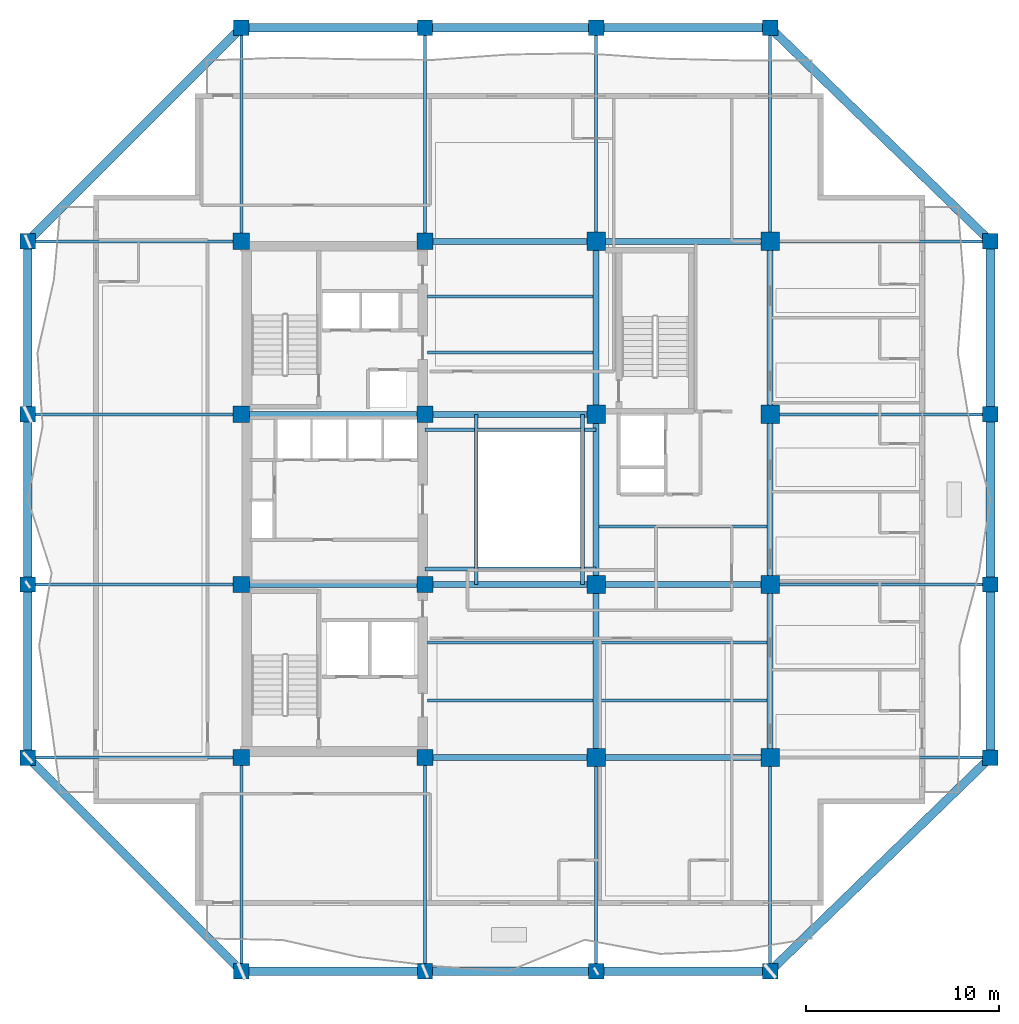
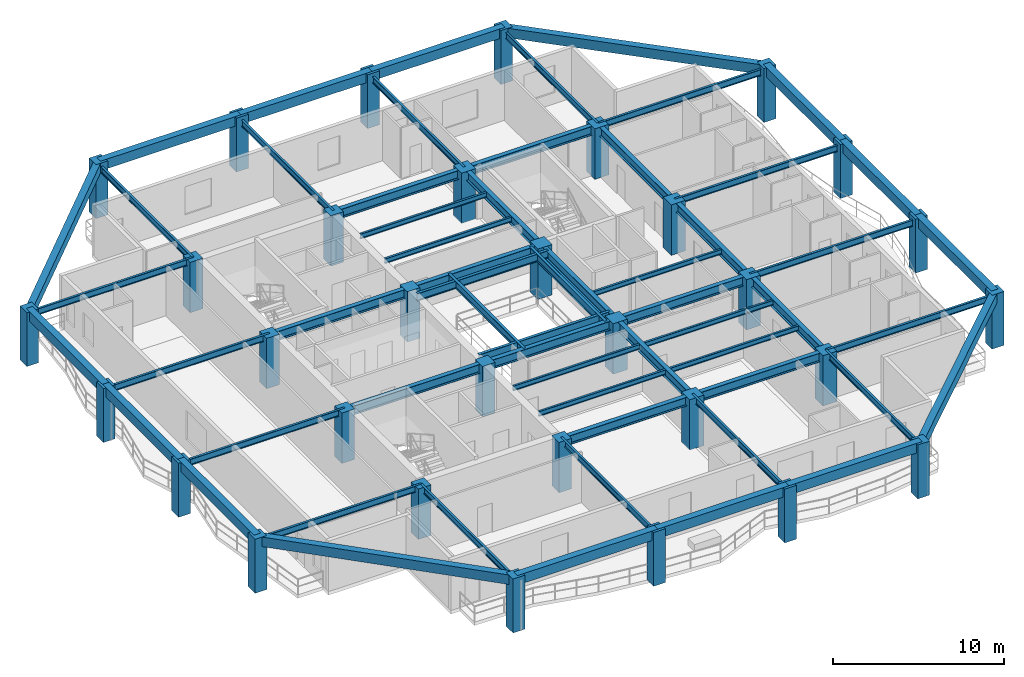
# One storey, part 1 of 13: 58 beams, 32 columns.
"""IFC4 building model written with IfcOpenShell, lengths in metres."""

import ifcopenshell
import ifcopenshell.guid

model = None  # the IFC model being written
_history = None  # IfcOwnerHistory: only IFC2X3 demands one
_inside = {}  # id of a spatial element -> (the spatial element, [elements in it])
_under = {}  # id of a project, library or spatial element -> (it, [spatial elements below it])
_declared = {}  # id of a project -> (the project, [libraries it declares])
_typed = {}  # id of a type object -> (the type object, [elements of that type])
_made_of = {}  # id of a material, layer set ... -> (it, [elements and type objects made of it])


def new_model(schema):
    """Start an empty IFC model of exactly this schema.

    Asked for "IFC4X3", IfcOpenShell would pick the latest addendum, in which some entities
    have other attributes; the version numbers below select the first issue.
    IFC2X3 requires an IfcOwnerHistory on every rooted entity: one is made here for all.
    """
    global model, _history
    if schema == "IFC4X3":
        model = ifcopenshell.file(schema_version=(4, 3, 0, 0))
    else:
        model = ifcopenshell.file(schema=schema)
    _inside.clear()
    _under.clear()
    _declared.clear()
    _typed.clear()
    _made_of.clear()
    _history = None
    if model.schema == "IFC2X3":
        org = make("IfcOrganization", Name="unknown")
        user = make(
            "IfcPersonAndOrganization",
            ThePerson=make("IfcPerson", FamilyName="unknown"),
            TheOrganization=org,
        )
        app = make(
            "IfcApplication",
            ApplicationDeveloper=org,
            Version="unknown",
            ApplicationFullName="unknown",
            ApplicationIdentifier="unknown",
        )
        _history = make(
            "IfcOwnerHistory",
            OwningUser=user,
            OwningApplication=app,
            ChangeAction="ADDED",
            CreationDate=0,
        )
    return model


def make(cls, **values):
    """One entity of the class cls with the attributes given. An attribute that is None is left unset."""
    return model.create_entity(
        cls, **{name: value for name, value in values.items() if value is not None}
    )


def rooted(cls, **values):
    """An entity with a GlobalId (a new one), such as an element, a storey or a relation."""
    return make(cls, GlobalId=ifcopenshell.guid.new(), OwnerHistory=_history, **values)


def si_unit(unit_type, name, prefix=None):
    """IfcSIUnit, for example si_unit("LENGTHUNIT", "METRE", prefix="MILLI")."""
    return make("IfcSIUnit", UnitType=unit_type, Prefix=prefix, Name=name)


def assignment(units):
    """IfcUnitAssignment: the units of a project."""
    return None if units is None else make("IfcUnitAssignment", Units=units)


def point(xyz):
    """IfcCartesianPoint."""
    return None if xyz is None else make("IfcCartesianPoint", Coordinates=xyz)


def direction(xyz):
    """IfcDirection."""
    return None if xyz is None else make("IfcDirection", DirectionRatios=xyz)


def frame(location, z_axis=None, x_axis=None):
    """IfcAxis2Placement3D, a coordinate frame: its origin and axes. An axis left out is left unset."""
    return make(
        "IfcAxis2Placement3D",
        Location=point(location),
        Axis=direction(z_axis),
        RefDirection=direction(x_axis),
    )


def frame_2d(location, x_axis=None):
    """IfcAxis2Placement2D, a coordinate frame in the plane: its origin and x axis."""
    return make(
        "IfcAxis2Placement2D", Location=point(location), RefDirection=direction(x_axis)
    )


def origin():
    """The frame at (0, 0, 0) with its axes left unset."""
    return frame((0.0, 0.0, 0.0))


def origin_2d():
    """The frame at (0, 0) in the plane with its x axis left unset."""
    return frame_2d((0.0, 0.0))


def place(relative_to, where):
    """IfcLocalPlacement: puts the frame where relative to a parent placement (None: the world)."""
    return make(
        "IfcLocalPlacement", PlacementRelTo=relative_to, RelativePlacement=where
    )


def context(
    kind, dimensions, precision=None, world=None, true_north=None, identifier=None
):
    """IfcGeometricRepresentationContext, for example the 3D "Model" context."""
    return make(
        "IfcGeometricRepresentationContext",
        ContextIdentifier=identifier,
        ContextType=kind,
        CoordinateSpaceDimension=dimensions,
        Precision=precision,
        WorldCoordinateSystem=world,
        TrueNorth=true_north,
    )


def subcontext(parent, identifier, kind, view, scale=None):
    """IfcGeometricRepresentationSubContext, for example "Body" below "Model"."""
    return make(
        "IfcGeometricRepresentationSubContext",
        ContextIdentifier=identifier,
        ContextType=kind,
        ParentContext=parent,
        TargetScale=scale,
        TargetView=view,
    )


def project(units=None, contexts=None):
    """IfcProject with its units and contexts."""
    return rooted(
        "IfcProject",
        Name="project",
        RepresentationContexts=contexts,
        UnitsInContext=assignment(units),
    )


def spatial(cls, under=None, at=None, **own):
    """A site, building, storey or space (cls), placed at a placement, below another one or the project."""
    s = rooted(cls, ObjectPlacement=at, **own)
    if under is not None:
        _under.setdefault(under.id(), (under, []))[1].append(s)
    return s


def profile(cls, at=None, kind="AREA", **sizes):
    """A parametric profile (cls). Its sizes go by their IFC names, for example OverallWidth=200.0."""
    return make(cls, ProfileType=kind, Position=at, **sizes)


def rectangle(**sizes):
    """IfcRectangleProfileDef."""
    return profile("IfcRectangleProfileDef", **sizes)


def i_section(**sizes):
    """IfcIShapeProfileDef."""
    return profile("IfcIShapeProfileDef", **sizes)


def extrude(swept, where, along, depth):
    """IfcExtrudedAreaSolid: the profile swept, set in the frame where, extruded along a direction by depth."""
    return make(
        "IfcExtrudedAreaSolid",
        SweptArea=swept,
        Position=where,
        ExtrudedDirection=direction(along),
        Depth=depth,
    )


def shape(context_of_items, identifier, shape_type, items):
    """IfcShapeRepresentation: the items that make up one representation, for example the "Body"."""
    return make(
        "IfcShapeRepresentation",
        ContextOfItems=context_of_items,
        RepresentationIdentifier=identifier,
        RepresentationType=shape_type,
        Items=items,
    )


def material(Name=None, Category=None):
    """IfcMaterial."""
    return make("IfcMaterial", Name=Name, Category=Category)


def material_profile(
    of_material, cross_section, Name=None, Category=None, Priority=None
):
    """IfcMaterialProfile: a cross section and its material."""
    return make(
        "IfcMaterialProfile",
        Name=Name,
        Material=of_material,
        Profile=cross_section,
        Priority=Priority,
        Category=Category,
    )


def profile_set(profiles, Name=None, composite=None):
    """IfcMaterialProfileSet."""
    return make(
        "IfcMaterialProfileSet",
        Name=Name,
        MaterialProfiles=profiles,
        CompositeProfile=composite,
    )


def made_of(thing, what):
    """Note that an element or type object is made of a material, layer set ...; save() writes the relation."""
    if what is not None:
        _made_of.setdefault(what.id(), (what, []))[1].append(thing)
    return thing


def type_object(cls, material=None, **own):
    """A type object (cls), such as IfcWallType, which elements share."""
    return made_of(rooted(cls, **own), material)


def element(
    cls,
    number,
    at=None,
    inside=None,
    cuts=None,
    type_object=None,
    material=None,
    context=None,
    identifier="Body",
    shape_type=None,
    held_by="IfcProductDefinitionShape",
    body=None,
    shapes=None,
    **own,
):
    """One element of the class cls, such as IfcWall. Its Tag is "e" and its number.

    at: its placement. inside: the storey or other place that contains it. cuts: it is an
    opening in that element (IfcRelVoidsElement). A single representation is given by context,
    identifier, shape_type and body (its items); several are given by shapes. held_by: the class
    of the entity that holds the representations. save() writes the other relations.
    """
    e = rooted(cls, Tag="e%d" % number, ObjectPlacement=at, **own)
    if body is not None:
        shapes = [shape(context, identifier, shape_type, body)]
    if shapes is not None:
        e.Representation = make(held_by, Representations=shapes)
    if inside is not None:
        _inside.setdefault(inside.id(), (inside, []))[1].append(e)
    if cuts is not None:
        rooted(
            "IfcRelVoidsElement", RelatingBuildingElement=cuts, RelatedOpeningElement=e
        )
    if type_object is not None:
        _typed.setdefault(type_object.id(), (type_object, []))[1].append(e)
    return made_of(e, material)


def aggregate(whole, parts):
    """IfcRelAggregates: a whole, such as a stair, and the parts it consists of."""
    return rooted("IfcRelAggregates", RelatingObject=whole, RelatedObjects=parts)


def save(model, path):
    """Write the relations noted so far, then the file.

    IfcRelAggregates (storeys below a building ...), IfcRelContainedInSpatialStructure (elements
    in a storey), IfcRelDefinesByType, IfcRelAssociatesMaterial and IfcRelDeclares: one each for
    every whole, place, type object, material and project.
    """
    for whole, parts in _under.values():
        aggregate(whole, parts)
    for where, things in _inside.values():
        rooted(
            "IfcRelContainedInSpatialStructure",
            RelatedElements=things,
            RelatingStructure=where,
        )
    for kind, things in _typed.values():
        rooted("IfcRelDefinesByType", RelatedObjects=things, RelatingType=kind)
    for what, things in _made_of.values():
        rooted("IfcRelAssociatesMaterial", RelatedObjects=things, RelatingMaterial=what)
    for by, libraries in _declared.values():
        rooted("IfcRelDeclares", RelatingContext=by, RelatedDefinitions=libraries)
    model.write(path)


model = new_model("IFC4")

# Units and contexts
model_context = context("Model", 3, precision=1e-05, world=origin(), true_north=direction((0.0, 1.0)))
body_context = subcontext(model_context, "Body", "Model", "MODEL_VIEW")
ifc_project = project(units=[si_unit("LENGTHUNIT", "METRE"), si_unit("AREAUNIT", "SQUARE_METRE"), si_unit("VOLUMEUNIT", "CUBIC_METRE"), si_unit("PLANEANGLEUNIT", "RADIAN"), si_unit("MASSUNIT", "GRAM", prefix="KILO")], contexts=[model_context])

# Site, building, storey
site_placement = place(None, origin())
site = spatial("IfcSite", under=ifc_project, at=site_placement, CompositionType="ELEMENT")
building_placement = place(site_placement, origin())
building = spatial("IfcBuilding", under=site, at=building_placement, Name="Kundavana Baori Tower", CompositionType="ELEMENT")
storey_placement = place(building_placement, frame((0.0, 0.0, 184.85009765625)))
storey = spatial("IfcBuildingStorey", under=building, at=storey_placement, Name="L45", CompositionType="ELEMENT", Elevation=184.85009765625)

# Columns
ifc_material_1 = material(Name="Concrete C50/60", Category="concrete")
ifc_material_profile_1 = material_profile(ifc_material_1, rectangle(XDim=0.800048828125, YDim=0.800048828125, at=origin_2d()), Name="RC PF 800x800")
ifc_profile_set_1 = profile_set([ifc_material_profile_1], Name="Concrete C50/60")
column_type_1 = type_object("IfcColumnType", Name="COL-PF-800", PredefinedType="COLUMN", material=ifc_profile_set_1)
for number, where, z_axis, x_axis, name in (
    (1, (15.449951171875, 4.199951171875, 0.0), (0.0, 0.0, 1.0), (1.0, 0.0, 0.0), "L45 Stone-Clad Perimeter Frame Column PF-S1"),
    (2, (15.449951171875, 53.0, 0.0), (0.0, 0.0, 1.0), (1.0, 0.0, 0.0), "L45 Stone-Clad Perimeter Frame Column PF-N1"),
    (3, (24.949951171875, 4.199951171875, 0.0), (0.0, 0.0, 1.0), (1.0, 0.0, 0.0), "L45 Stone-Clad Perimeter Frame Column PF-S2"),
    (4, (24.949951171875, 53.0, 0.0), (0.0, 0.0, 1.0), (1.0, 0.0, 0.0), "L45 Stone-Clad Perimeter Frame Column PF-N2"),
    (5, (33.800048828125, 4.199951171875, 0.0), (0.0, 0.0, 1.0), (1.0, 0.0, 0.0), "L45 Stone-Clad Perimeter Frame Column PF-S3"),
    (6, (33.800048828125, 53.0, 0.0), (0.0, 0.0, 1.0), (1.0, 0.0, 0.0), "L45 Stone-Clad Perimeter Frame Column PF-N3"),
    (7, (42.800048828125, 4.199951171875, 0.0), (0.0, 0.0, 1.0), (1.0, 0.0, 0.0), "L45 Stone-Clad Perimeter Frame Column PF-S4"),
    (8, (42.800048828125, 53.0, 0.0), (0.0, 0.0, 1.0), (1.0, 0.0, 0.0), "L45 Stone-Clad Perimeter Frame Column PF-N4"),
    (9, (4.39990234375, 15.25, 0.0), (0.0, 0.0, 1.0), (1.0, 0.0, 0.0), "L45 Stone-Clad Perimeter Frame Column PF-W1"),
    (10, (54.199951171875, 15.25, 0.0), (0.0, 0.0, 1.0), (1.0, 0.0, 0.0), "L45 Stone-Clad Perimeter Frame Column PF-E1"),
    (11, (4.39990234375, 24.199951171875, 0.0), (0.0, 0.0, 1.0), (1.0, 0.0, 0.0), "L45 Stone-Clad Perimeter Frame Column PF-W2"),
    (12, (54.199951171875, 24.199951171875, 0.0), (0.0, 0.0, 1.0), (1.0, 0.0, 0.0), "L45 Stone-Clad Perimeter Frame Column PF-E2"),
    (13, (4.39990234375, 33.0, 0.0), (0.0, 0.0, 1.0), (1.0, 0.0, 0.0), "L45 Stone-Clad Perimeter Frame Column PF-W3"),
    (14, (54.199951171875, 33.0, 0.0), (0.0, 0.0, 1.0), (1.0, 0.0, 0.0), "L45 Stone-Clad Perimeter Frame Column PF-E3"),
    (15, (4.39990234375, 41.949951171875, 0.0), (0.0, 0.0, 1.0), (1.0, 0.0, 0.0), "L45 Stone-Clad Perimeter Frame Column PF-W4"),
    (16, (54.199951171875, 41.949951171875, 0.0), (0.0, 0.0, 1.0), (1.0, 0.0, 0.0), "L45 Stone-Clad Perimeter Frame Column PF-E4"),
):
    element("IfcColumn", number, at=place(storey_placement, frame(where, z_axis=z_axis, x_axis=x_axis)), inside=storey, type_object=column_type_1, Name=name, PredefinedType="COLUMN", context=body_context, shape_type="SweptSolid", body=[
        extrude(rectangle(XDim=0.800048828125, YDim=0.800048828125, at=origin_2d()), origin(), (0.0, 0.0, 1.0), 3.849853515625),
    ])
ifc_material_2 = material(Name="Concrete C50/60", Category="concrete")
ifc_material_profile_2 = material_profile(ifc_material_2, rectangle(XDim=0.85009765625, YDim=0.85009765625, at=origin_2d()), Name="RC 850x850")
ifc_profile_set_2 = profile_set([ifc_material_profile_2], Name="Concrete C50/60")
column_type_2 = type_object("IfcColumnType", Name="COL-RC-850", PredefinedType="COLUMN", material=ifc_profile_set_2)
for number, where, z_axis, x_axis, name in (
    (17, (15.449951171875, 15.25, 0.0), (0.0, 0.0, 1.0), (1.0, 0.0, 0.0), "L45 Interior Column IC-3C"),
    (18, (15.449951171875, 24.199951171875, 0.0), (0.0, 0.0, 1.0), (1.0, 0.0, 0.0), "L45 Interior Column IC-3D"),
    (19, (15.449951171875, 33.0, 0.0), (0.0, 0.0, 1.0), (1.0, 0.0, 0.0), "L45 Interior Column IC-3E"),
    (20, (15.449951171875, 41.949951171875, 0.0), (0.0, 0.0, 1.0), (1.0, 0.0, 0.0), "L45 Interior Column IC-3F"),
    (21, (24.949951171875, 15.25, 0.0), (0.0, 0.0, 1.0), (1.0, 0.0, 0.0), "L45 Interior Column IC-4C"),
    (22, (24.949951171875, 24.199951171875, 0.0), (0.0, 0.0, 1.0), (1.0, 0.0, 0.0), "L45 Interior Column IC-4D"),
    (23, (24.949951171875, 33.0, 0.0), (0.0, 0.0, 1.0), (1.0, 0.0, 0.0), "L45 Interior Column IC-4E"),
    (24, (24.949951171875, 41.949951171875, 0.0), (0.0, 0.0, 1.0), (1.0, 0.0, 0.0), "L45 Interior Column IC-4F"),
):
    element("IfcColumn", number, at=place(storey_placement, frame(where, z_axis=z_axis, x_axis=x_axis)), inside=storey, type_object=column_type_2, Name=name, PredefinedType="COLUMN", context=body_context, shape_type="SweptSolid", body=[
        extrude(rectangle(XDim=0.85009765625, YDim=0.85009765625, at=origin_2d()), origin(), (0.0, 0.0, 1.0), 3.599853515625),
    ])
ifc_material_3 = material(Name="Concrete C50/60", Category="concrete")
ifc_material_profile_3 = material_profile(ifc_material_3, rectangle(XDim=0.949951171875, YDim=0.949951171875, at=origin_2d()), Name="RC 950x950")
ifc_profile_set_3 = profile_set([ifc_material_profile_3], Name="Concrete C50/60")
column_type_3 = type_object("IfcColumnType", Name="COL-RC-950", PredefinedType="COLUMN", material=ifc_profile_set_3)
for number, where, z_axis, x_axis, name in (
    (25, (33.800048828125, 15.25, 0.0), (0.0, 0.0, 1.0), (1.0, 0.0, 0.0), "L45 Interior Column IC-5C"),
    (26, (33.800048828125, 24.199951171875, 0.0), (0.0, 0.0, 1.0), (1.0, 0.0, 0.0), "L45 Interior Column IC-5D"),
    (27, (33.800048828125, 33.0, 0.0), (0.0, 0.0, 1.0), (1.0, 0.0, 0.0), "L45 Interior Column IC-5E"),
    (28, (33.800048828125, 41.949951171875, 0.0), (0.0, 0.0, 1.0), (1.0, 0.0, 0.0), "L45 Interior Column IC-5F"),
    (29, (42.800048828125, 15.25, 0.0), (0.0, 0.0, 1.0), (1.0, 0.0, 0.0), "L45 Interior Column IC-6C"),
    (30, (42.800048828125, 24.199951171875, 0.0), (0.0, 0.0, 1.0), (1.0, 0.0, 0.0), "L45 Interior Column IC-6D"),
    (31, (42.800048828125, 33.0, 0.0), (0.0, 0.0, 1.0), (1.0, 0.0, 0.0), "L45 Interior Column IC-6E"),
    (32, (42.800048828125, 41.949951171875, 0.0), (0.0, 0.0, 1.0), (1.0, 0.0, 0.0), "L45 Interior Column IC-6F"),
):
    element("IfcColumn", number, at=place(storey_placement, frame(where, z_axis=z_axis, x_axis=x_axis)), inside=storey, type_object=column_type_3, Name=name, PredefinedType="COLUMN", context=body_context, shape_type="SweptSolid", body=[
        extrude(rectangle(XDim=0.949951171875, YDim=0.949951171875, at=origin_2d()), origin(), (0.0, 0.0, 1.0), 3.599853515625),
    ])

# Beams
ifc_material_4 = material(Name="Structural Steel S355JR", Category="steel")
ifc_material_profile_4 = material_profile(ifc_material_4, i_section(OverallWidth=0.139892578125, OverallDepth=0.35009765625, WebThickness=0.008056640625, FlangeThickness=0.01416015625, FilletRadius=0.013916015625, at=origin_2d()), Name="ISMB 350")
ifc_profile_set_4 = profile_set([ifc_material_profile_4], Name="Structural Steel S355JR")
beam_type_1 = type_object("IfcBeamType", Name="BM-JST-350", PredefinedType="JOIST", material=ifc_profile_set_4)
for number, where, z_axis, x_axis, name in (
    (33, (25.080078125, 18.199951171875, 3.4248046875), (1.0, 0.0, 0.0), (0.0, 1.0, 0.0), "L45 Central Bay Composite Floor Joist C1"),
    (34, (25.080078125, 21.199951171875, 3.4248046875), (1.0, 0.0, 0.0), (0.0, 1.0, 0.0), "L45 Central Bay Composite Floor Joist C2"),
    (35, (25.080078125, 36.199951171875, 3.4248046875), (1.0, 0.0, 0.0), (0.0, 1.0, 0.0), "L45 Central Bay Composite Floor Joist C3"),
    (36, (25.080078125, 39.10009765625, 3.4248046875), (1.0, 0.0, 0.0), (0.0, 1.0, 0.0), "L45 Central Bay Composite Floor Joist C4"),
):
    element("IfcBeam", number, at=place(storey_placement, frame(where, z_axis=z_axis, x_axis=x_axis)), inside=storey, type_object=beam_type_1, Name=name, PredefinedType="JOIST", context=body_context, shape_type="SweptSolid", body=[
        extrude(i_section(OverallWidth=0.139892578125, OverallDepth=0.35009765625, WebThickness=0.008056640625, FlangeThickness=0.01416015625, FilletRadius=0.013916015625, at=origin_2d()), origin(), (0.0, 0.0, 1.0), 8.56982421875),
    ])
for number, where, z_axis, x_axis, name in (
    (37, (33.949951171875, 18.199951171875, 3.4248046875), (1.0, 0.0, 0.0), (0.0, 1.0, 0.0), "L45 East Bay Composite Floor Joist E1"),
    (38, (33.949951171875, 21.199951171875, 3.4248046875), (1.0, 0.0, 0.0), (0.0, 1.0, 0.0), "L45 East Bay Composite Floor Joist E2"),
    (39, (33.949951171875, 27.199951171875, 3.4248046875), (1.0, 0.0, 0.0), (0.0, 1.0, 0.0), "L45 East Bay Composite Floor Joist E3"),
):
    element("IfcBeam", number, at=place(storey_placement, frame(where, z_axis=z_axis, x_axis=x_axis)), inside=storey, type_object=beam_type_1, Name=name, PredefinedType="JOIST", context=body_context, shape_type="SweptSolid", body=[
        extrude(i_section(OverallWidth=0.139892578125, OverallDepth=0.35009765625, WebThickness=0.008056640625, FlangeThickness=0.01416015625, FilletRadius=0.013916015625, at=origin_2d()), origin(), (0.0, 0.0, 1.0), 8.699951171875),
    ])
ifc_material_5 = material(Name="Concrete C50/60", Category="concrete")
ifc_material_profile_5 = material_profile(ifc_material_5, rectangle(XDim=0.449951171875, YDim=0.679931640625, at=origin_2d()), Name="RC BM 450x680")
ifc_profile_set_5 = profile_set([ifc_material_profile_5], Name="Concrete C50/60")
beam_type_2 = type_object("IfcBeamType", Name="BM-PF-680", PredefinedType="SPANDREL", material=ifc_profile_set_5)
beam_1_placement = place(storey_placement, frame((15.449951171875, 4.199951171875, 3.510009765625), z_axis=(1.0, 0.0, 0.0), x_axis=(0.0, 1.0, 0.0)))
element("IfcBeam", 40, at=beam_1_placement, inside=storey, type_object=beam_type_2, Name="L45 Perimeter Frame Ring Beam S1", PredefinedType="SPANDREL", context=body_context, shape_type="SweptSolid", body=[
    extrude(rectangle(XDim=0.449951171875, YDim=0.679931640625, at=origin_2d()), origin(), (0.0, 0.0, 1.0), 9.5),
])
beam_2_placement = place(storey_placement, frame((24.949951171875, 4.199951171875, 3.510009765625), z_axis=(1.0, 0.0, 0.0), x_axis=(0.0, 1.0, 0.0)))
element("IfcBeam", 41, at=beam_2_placement, inside=storey, type_object=beam_type_2, Name="L45 Perimeter Frame Ring Beam S2", PredefinedType="SPANDREL", context=body_context, shape_type="SweptSolid", body=[
    extrude(rectangle(XDim=0.449951171875, YDim=0.679931640625, at=origin_2d()), origin(), (0.0, 0.0, 1.0), 8.85009765625),
])
beam_3_placement = place(storey_placement, frame((33.800048828125, 4.199951171875, 3.510009765625), z_axis=(1.0, 0.0, 0.0), x_axis=(0.0, 1.0, 0.0)))
element("IfcBeam", 42, at=beam_3_placement, inside=storey, type_object=beam_type_2, Name="L45 Perimeter Frame Ring Beam S3", PredefinedType="SPANDREL", context=body_context, shape_type="SweptSolid", body=[
    extrude(rectangle(XDim=0.449951171875, YDim=0.679931640625, at=origin_2d()), origin(), (0.0, 0.0, 1.0), 9.0),
])
beam_4_placement = place(storey_placement, frame((15.449951171875, 53.0, 3.510009765625), z_axis=(1.0, 0.0, 0.0), x_axis=(0.0, 1.0, 0.0)))
element("IfcBeam", 43, at=beam_4_placement, inside=storey, type_object=beam_type_2, Name="L45 Perimeter Frame Ring Beam N1", PredefinedType="SPANDREL", context=body_context, shape_type="SweptSolid", body=[
    extrude(rectangle(XDim=0.449951171875, YDim=0.679931640625, at=origin_2d()), origin(), (0.0, 0.0, 1.0), 9.5),
])
beam_5_placement = place(storey_placement, frame((24.949951171875, 53.0, 3.510009765625), z_axis=(1.0, 0.0, 0.0), x_axis=(0.0, 1.0, 0.0)))
element("IfcBeam", 44, at=beam_5_placement, inside=storey, type_object=beam_type_2, Name="L45 Perimeter Frame Ring Beam N2", PredefinedType="SPANDREL", context=body_context, shape_type="SweptSolid", body=[
    extrude(rectangle(XDim=0.449951171875, YDim=0.679931640625, at=origin_2d()), origin(), (0.0, 0.0, 1.0), 8.85009765625),
])
beam_6_placement = place(storey_placement, frame((33.800048828125, 53.0, 3.510009765625), z_axis=(1.0, 0.0, 0.0), x_axis=(0.0, 1.0, 0.0)))
element("IfcBeam", 45, at=beam_6_placement, inside=storey, type_object=beam_type_2, Name="L45 Perimeter Frame Ring Beam N3", PredefinedType="SPANDREL", context=body_context, shape_type="SweptSolid", body=[
    extrude(rectangle(XDim=0.449951171875, YDim=0.679931640625, at=origin_2d()), origin(), (0.0, 0.0, 1.0), 9.0),
])
beam_7_placement = place(storey_placement, frame((4.39990234375, 15.25, 3.510009765625), z_axis=(0.0, 1.0, 0.0), x_axis=(-1.0, 0.0, 0.0)))
element("IfcBeam", 46, at=beam_7_placement, inside=storey, type_object=beam_type_2, Name="L45 Perimeter Frame Ring Beam W1", PredefinedType="SPANDREL", context=body_context, shape_type="SweptSolid", body=[
    extrude(rectangle(XDim=0.449951171875, YDim=0.679931640625, at=origin_2d()), origin(), (0.0, 0.0, 1.0), 8.949951171875),
])
beam_8_placement = place(storey_placement, frame((4.39990234375, 24.199951171875, 3.510009765625), z_axis=(0.0, 1.0, 0.0), x_axis=(-1.0, 0.0, 0.0)))
element("IfcBeam", 47, at=beam_8_placement, inside=storey, type_object=beam_type_2, Name="L45 Perimeter Frame Ring Beam W2", PredefinedType="SPANDREL", context=body_context, shape_type="SweptSolid", body=[
    extrude(rectangle(XDim=0.449951171875, YDim=0.679931640625, at=origin_2d()), origin(), (0.0, 0.0, 1.0), 8.800048828125),
])
for number, where, z_axis, x_axis, name in (
    (48, (4.39990234375, 33.0, 3.510009765625), (0.0, 1.0, 0.0), (-1.0, 0.0, 0.0), "L45 Perimeter Frame Ring Beam W3"),
    (49, (54.199951171875, 15.25, 3.510009765625), (0.0, 1.0, 0.0), (-1.0, 0.0, 0.0), "L45 Perimeter Frame Ring Beam E1"),
):
    element("IfcBeam", number, at=place(storey_placement, frame(where, z_axis=z_axis, x_axis=x_axis)), inside=storey, type_object=beam_type_2, Name=name, PredefinedType="SPANDREL", context=body_context, shape_type="SweptSolid", body=[
        extrude(rectangle(XDim=0.449951171875, YDim=0.679931640625, at=origin_2d()), origin(), (0.0, 0.0, 1.0), 8.949951171875),
    ])
beam_9_placement = place(storey_placement, frame((54.199951171875, 24.199951171875, 3.510009765625), z_axis=(0.0, 1.0, 0.0), x_axis=(-1.0, 0.0, 0.0)))
element("IfcBeam", 50, at=beam_9_placement, inside=storey, type_object=beam_type_2, Name="L45 Perimeter Frame Ring Beam E2", PredefinedType="SPANDREL", context=body_context, shape_type="SweptSolid", body=[
    extrude(rectangle(XDim=0.449951171875, YDim=0.679931640625, at=origin_2d()), origin(), (0.0, 0.0, 1.0), 8.800048828125),
])
beam_10_placement = place(storey_placement, frame((54.199951171875, 33.0, 3.510009765625), z_axis=(0.0, 1.0, 0.0), x_axis=(-1.0, 0.0, 0.0)))
element("IfcBeam", 51, at=beam_10_placement, inside=storey, type_object=beam_type_2, Name="L45 Perimeter Frame Ring Beam E3", PredefinedType="SPANDREL", context=body_context, shape_type="SweptSolid", body=[
    extrude(rectangle(XDim=0.449951171875, YDim=0.679931640625, at=origin_2d()), origin(), (0.0, 0.0, 1.0), 8.949951171875),
])
beam_11_placement = place(storey_placement, frame((15.449951171875, 4.199951171875, 3.510009765625), z_axis=(-0.707106781187, 0.707106781187, 0.0), x_axis=(-0.707106781187, -0.707106781187, 0.0)))
element("IfcBeam", 52, at=beam_11_placement, inside=storey, type_object=beam_type_2, Name="L45 Notched Corner Perimeter Beam SW", PredefinedType="SPANDREL", context=body_context, shape_type="SweptSolid", body=[
    extrude(rectangle(XDim=0.449951171875, YDim=0.679931640625, at=origin_2d()), origin(), (0.0, 0.0, 1.0), 15.627197265625),
])
beam_12_placement = place(storey_placement, frame((42.800048828125, 4.199951171875, 3.510009765625), z_axis=(0.718038944492, 0.696002926857, 0.0), x_axis=(-0.696002926857, 0.718038944492, 0.0)))
element("IfcBeam", 53, at=beam_12_placement, inside=storey, type_object=beam_type_2, Name="L45 Notched Corner Perimeter Beam SE", PredefinedType="SPANDREL", context=body_context, shape_type="SweptSolid", body=[
    extrude(rectangle(XDim=0.449951171875, YDim=0.679931640625, at=origin_2d()), origin(), (0.0, 0.0, 1.0), 15.87646484375),
])
beam_13_placement = place(storey_placement, frame((15.449951171875, 53.0, 3.510009765625), z_axis=(-0.707106781187, -0.707106781187, 0.0), x_axis=(0.707106781187, -0.707106781187, 0.0)))
element("IfcBeam", 54, at=beam_13_placement, inside=storey, type_object=beam_type_2, Name="L45 Notched Corner Perimeter Beam NW", PredefinedType="SPANDREL", context=body_context, shape_type="SweptSolid", body=[
    extrude(rectangle(XDim=0.449951171875, YDim=0.679931640625, at=origin_2d()), origin(), (0.0, 0.0, 1.0), 15.627197265625),
])
beam_14_placement = place(storey_placement, frame((42.800048828125, 53.0, 3.510009765625), z_axis=(0.718038944492, -0.696002926857, 0.0), x_axis=(0.696002926857, 0.718038944492, 0.0)))
element("IfcBeam", 55, at=beam_14_placement, inside=storey, type_object=beam_type_2, Name="L45 Notched Corner Perimeter Beam NE", PredefinedType="SPANDREL", context=body_context, shape_type="SweptSolid", body=[
    extrude(rectangle(XDim=0.449951171875, YDim=0.679931640625, at=origin_2d()), origin(), (0.0, 0.0, 1.0), 15.87646484375),
])
ifc_material_6 = material(Name="Structural Steel S355JR", Category="steel")
ifc_material_profile_6 = material_profile(ifc_material_6, i_section(OverallWidth=0.18994140625, OverallDepth=0.550048828125, WebThickness=0.01123046875, FlangeThickness=0.019287109375, FilletRadius=0.01806640625, at=origin_2d()), Name="ISMB 550")
ifc_profile_set_6 = profile_set([ifc_material_profile_6], Name="Structural Steel S355JR")
beam_type_3 = type_object("IfcBeamType", Name="BM-ST-550", PredefinedType="BEAM", material=ifc_profile_set_6)
for number, where, z_axis, x_axis, name in (
    (56, (27.60009765625, 24.199951171875, 3.324951171875), (0.0, 1.0, 0.0), (-1.0, 0.0, 0.0), "L45 Atrium West Edge Beam"),
    (57, (33.10009765625, 24.199951171875, 3.324951171875), (0.0, 1.0, 0.0), (-1.0, 0.0, 0.0), "L45 Atrium East Edge Beam"),
):
    element("IfcBeam", number, at=place(storey_placement, frame(where, z_axis=z_axis, x_axis=x_axis)), inside=storey, type_object=beam_type_3, Name=name, PredefinedType="BEAM", context=body_context, shape_type="SweptSolid", body=[
        extrude(i_section(OverallWidth=0.18994140625, OverallDepth=0.550048828125, WebThickness=0.01123046875, FlangeThickness=0.019287109375, FilletRadius=0.01806640625, at=origin_2d()), origin(), (0.0, 0.0, 1.0), 8.800048828125),
    ])
for number, where, z_axis, x_axis, name in (
    (58, (24.949951171875, 25.0, 3.324951171875), (1.0, 0.0, 0.0), (0.0, 1.0, 0.0), "L45 Atrium South Edge Beam"),
    (59, (24.949951171875, 32.199951171875, 3.324951171875), (1.0, 0.0, 0.0), (0.0, 1.0, 0.0), "L45 Atrium North Edge Beam"),
):
    element("IfcBeam", number, at=place(storey_placement, frame(where, z_axis=z_axis, x_axis=x_axis)), inside=storey, type_object=beam_type_3, Name=name, PredefinedType="BEAM", context=body_context, shape_type="SweptSolid", body=[
        extrude(i_section(OverallWidth=0.18994140625, OverallDepth=0.550048828125, WebThickness=0.01123046875, FlangeThickness=0.019287109375, FilletRadius=0.01806640625, at=origin_2d()), origin(), (0.0, 0.0, 1.0), 8.85009765625),
    ])
ifc_material_7 = material(Name="Structural Steel S355JR", Category="steel")
ifc_material_profile_7 = material_profile(ifc_material_7, i_section(OverallWidth=0.300048828125, OverallDepth=0.64990234375, WebThickness=0.013427734375, FlangeThickness=0.02197265625, FilletRadius=0.02392578125, at=origin_2d()), Name="NPB 650x300x155")
ifc_profile_set_7 = profile_set([ifc_material_profile_7], Name="Structural Steel S355JR")
beam_type_4 = type_object("IfcBeamType", Name="BM-ST-650", PredefinedType="BEAM", material=ifc_profile_set_7)
beam_15_placement = place(storey_placement, frame((24.949951171875, 15.25, 3.27490234375), z_axis=(1.0, 0.0, 0.0), x_axis=(0.0, 1.0, 0.0)))
element("IfcBeam", 60, at=beam_15_placement, inside=storey, type_object=beam_type_4, Name="L45 Primary Grid Girder GX-1-2", PredefinedType="BEAM", context=body_context, shape_type="SweptSolid", body=[
    extrude(i_section(OverallWidth=0.300048828125, OverallDepth=0.64990234375, WebThickness=0.013427734375, FlangeThickness=0.02197265625, FilletRadius=0.02392578125, at=origin_2d()), origin(), (0.0, 0.0, 1.0), 8.85009765625),
])
beam_16_placement = place(storey_placement, frame((33.800048828125, 15.25, 3.27490234375), z_axis=(1.0, 0.0, 0.0), x_axis=(0.0, 1.0, 0.0)))
element("IfcBeam", 61, at=beam_16_placement, inside=storey, type_object=beam_type_4, Name="L45 Primary Grid Girder GX-1-3", PredefinedType="BEAM", context=body_context, shape_type="SweptSolid", body=[
    extrude(i_section(OverallWidth=0.300048828125, OverallDepth=0.64990234375, WebThickness=0.013427734375, FlangeThickness=0.02197265625, FilletRadius=0.02392578125, at=origin_2d()), origin(), (0.0, 0.0, 1.0), 9.0),
])
beam_17_placement = place(storey_placement, frame((15.449951171875, 24.199951171875, 3.27490234375), z_axis=(1.0, 0.0, 0.0), x_axis=(0.0, 1.0, 0.0)))
element("IfcBeam", 62, at=beam_17_placement, inside=storey, type_object=beam_type_4, Name="L45 Primary Grid Girder GX-2-1", PredefinedType="BEAM", context=body_context, shape_type="SweptSolid", body=[
    extrude(i_section(OverallWidth=0.300048828125, OverallDepth=0.64990234375, WebThickness=0.013427734375, FlangeThickness=0.02197265625, FilletRadius=0.02392578125, at=origin_2d()), origin(), (0.0, 0.0, 1.0), 9.5),
])
beam_18_placement = place(storey_placement, frame((24.949951171875, 24.199951171875, 3.27490234375), z_axis=(1.0, 0.0, 0.0), x_axis=(0.0, 1.0, 0.0)))
element("IfcBeam", 63, at=beam_18_placement, inside=storey, type_object=beam_type_4, Name="L45 Primary Grid Girder GX-2-2", PredefinedType="BEAM", context=body_context, shape_type="SweptSolid", body=[
    extrude(i_section(OverallWidth=0.300048828125, OverallDepth=0.64990234375, WebThickness=0.013427734375, FlangeThickness=0.02197265625, FilletRadius=0.02392578125, at=origin_2d()), origin(), (0.0, 0.0, 1.0), 8.85009765625),
])
beam_19_placement = place(storey_placement, frame((33.800048828125, 24.199951171875, 3.27490234375), z_axis=(1.0, 0.0, 0.0), x_axis=(0.0, 1.0, 0.0)))
element("IfcBeam", 64, at=beam_19_placement, inside=storey, type_object=beam_type_4, Name="L45 Primary Grid Girder GX-2-3", PredefinedType="BEAM", context=body_context, shape_type="SweptSolid", body=[
    extrude(i_section(OverallWidth=0.300048828125, OverallDepth=0.64990234375, WebThickness=0.013427734375, FlangeThickness=0.02197265625, FilletRadius=0.02392578125, at=origin_2d()), origin(), (0.0, 0.0, 1.0), 9.0),
])
beam_20_placement = place(storey_placement, frame((15.449951171875, 33.0, 3.27490234375), z_axis=(1.0, 0.0, 0.0), x_axis=(0.0, 1.0, 0.0)))
element("IfcBeam", 65, at=beam_20_placement, inside=storey, type_object=beam_type_4, Name="L45 Primary Grid Girder GX-3-1", PredefinedType="BEAM", context=body_context, shape_type="SweptSolid", body=[
    extrude(i_section(OverallWidth=0.300048828125, OverallDepth=0.64990234375, WebThickness=0.013427734375, FlangeThickness=0.02197265625, FilletRadius=0.02392578125, at=origin_2d()), origin(), (0.0, 0.0, 1.0), 9.5),
])
for number, where, z_axis, x_axis, name in (
    (66, (24.949951171875, 33.0, 3.27490234375), (1.0, 0.0, 0.0), (0.0, 1.0, 0.0), "L45 Primary Grid Girder GX-3-2"),
    (67, (24.949951171875, 41.949951171875, 3.27490234375), (1.0, 0.0, 0.0), (0.0, 1.0, 0.0), "L45 Primary Grid Girder GX-4-2"),
):
    element("IfcBeam", number, at=place(storey_placement, frame(where, z_axis=z_axis, x_axis=x_axis)), inside=storey, type_object=beam_type_4, Name=name, PredefinedType="BEAM", context=body_context, shape_type="SweptSolid", body=[
        extrude(i_section(OverallWidth=0.300048828125, OverallDepth=0.64990234375, WebThickness=0.013427734375, FlangeThickness=0.02197265625, FilletRadius=0.02392578125, at=origin_2d()), origin(), (0.0, 0.0, 1.0), 8.85009765625),
    ])
beam_21_placement = place(storey_placement, frame((33.800048828125, 41.949951171875, 3.27490234375), z_axis=(1.0, 0.0, 0.0), x_axis=(0.0, 1.0, 0.0)))
element("IfcBeam", 68, at=beam_21_placement, inside=storey, type_object=beam_type_4, Name="L45 Primary Grid Girder GX-4-3", PredefinedType="BEAM", context=body_context, shape_type="SweptSolid", body=[
    extrude(i_section(OverallWidth=0.300048828125, OverallDepth=0.64990234375, WebThickness=0.013427734375, FlangeThickness=0.02197265625, FilletRadius=0.02392578125, at=origin_2d()), origin(), (0.0, 0.0, 1.0), 9.0),
])
beam_22_placement = place(storey_placement, frame((33.800048828125, 15.25, 3.27490234375), z_axis=(0.0, 1.0, 0.0), x_axis=(-1.0, 0.0, 0.0)))
element("IfcBeam", 69, at=beam_22_placement, inside=storey, type_object=beam_type_4, Name="L45 Primary Grid Girder GY-3-1", PredefinedType="BEAM", context=body_context, shape_type="SweptSolid", body=[
    extrude(i_section(OverallWidth=0.300048828125, OverallDepth=0.64990234375, WebThickness=0.013427734375, FlangeThickness=0.02197265625, FilletRadius=0.02392578125, at=origin_2d()), origin(), (0.0, 0.0, 1.0), 8.949951171875),
])
beam_23_placement = place(storey_placement, frame((33.800048828125, 24.199951171875, 3.27490234375), z_axis=(0.0, 1.0, 0.0), x_axis=(-1.0, 0.0, 0.0)))
element("IfcBeam", 70, at=beam_23_placement, inside=storey, type_object=beam_type_4, Name="L45 Primary Grid Girder GY-3-2", PredefinedType="BEAM", context=body_context, shape_type="SweptSolid", body=[
    extrude(i_section(OverallWidth=0.300048828125, OverallDepth=0.64990234375, WebThickness=0.013427734375, FlangeThickness=0.02197265625, FilletRadius=0.02392578125, at=origin_2d()), origin(), (0.0, 0.0, 1.0), 8.800048828125),
])
for number, where, z_axis, x_axis, name in (
    (71, (33.800048828125, 33.0, 3.27490234375), (0.0, 1.0, 0.0), (-1.0, 0.0, 0.0), "L45 Primary Grid Girder GY-3-3"),
    (72, (42.800048828125, 15.25, 3.27490234375), (0.0, 1.0, 0.0), (-1.0, 0.0, 0.0), "L45 Primary Grid Girder GY-4-1"),
):
    element("IfcBeam", number, at=place(storey_placement, frame(where, z_axis=z_axis, x_axis=x_axis)), inside=storey, type_object=beam_type_4, Name=name, PredefinedType="BEAM", context=body_context, shape_type="SweptSolid", body=[
        extrude(i_section(OverallWidth=0.300048828125, OverallDepth=0.64990234375, WebThickness=0.013427734375, FlangeThickness=0.02197265625, FilletRadius=0.02392578125, at=origin_2d()), origin(), (0.0, 0.0, 1.0), 8.949951171875),
    ])
beam_24_placement = place(storey_placement, frame((42.800048828125, 24.199951171875, 3.27490234375), z_axis=(0.0, 1.0, 0.0), x_axis=(-1.0, 0.0, 0.0)))
element("IfcBeam", 73, at=beam_24_placement, inside=storey, type_object=beam_type_4, Name="L45 Primary Grid Girder GY-4-2", PredefinedType="BEAM", context=body_context, shape_type="SweptSolid", body=[
    extrude(i_section(OverallWidth=0.300048828125, OverallDepth=0.64990234375, WebThickness=0.013427734375, FlangeThickness=0.02197265625, FilletRadius=0.02392578125, at=origin_2d()), origin(), (0.0, 0.0, 1.0), 8.800048828125),
])
beam_25_placement = place(storey_placement, frame((42.800048828125, 33.0, 3.27490234375), z_axis=(0.0, 1.0, 0.0), x_axis=(-1.0, 0.0, 0.0)))
element("IfcBeam", 74, at=beam_25_placement, inside=storey, type_object=beam_type_4, Name="L45 Primary Grid Girder GY-4-3", PredefinedType="BEAM", context=body_context, shape_type="SweptSolid", body=[
    extrude(i_section(OverallWidth=0.300048828125, OverallDepth=0.64990234375, WebThickness=0.013427734375, FlangeThickness=0.02197265625, FilletRadius=0.02392578125, at=origin_2d()), origin(), (0.0, 0.0, 1.0), 8.949951171875),
])
ifc_material_8 = material(Name="Structural Steel S355JR", Category="steel")
ifc_material_profile_8 = material_profile(ifc_material_8, i_section(OverallWidth=0.14990234375, OverallDepth=0.449951171875, WebThickness=0.009521484375, FlangeThickness=0.017333984375, FilletRadius=0.014892578125, at=origin_2d()), Name="ISMB 450")
ifc_profile_set_8 = profile_set([ifc_material_profile_8], Name="Structural Steel S355JR")
beam_type_5 = type_object("IfcBeamType", Name="BM-TIE-450", PredefinedType="BEAM", material=ifc_profile_set_8)
for number, where, z_axis, x_axis, name in (
    (75, (15.449951171875, 15.25, 3.375), (0.0, -1.0, 0.0), (1.0, 0.0, 0.0), "L45 South Radial Loggia Tie Beam S1"),
    (76, (15.449951171875, 41.949951171875, 3.375), (0.0, 1.0, 0.0), (-1.0, 0.0, 0.0), "L45 North Radial Loggia Tie Beam N1"),
    (77, (24.949951171875, 15.25, 3.375), (0.0, -1.0, 0.0), (1.0, 0.0, 0.0), "L45 South Radial Loggia Tie Beam S2"),
    (78, (24.949951171875, 41.949951171875, 3.375), (0.0, 1.0, 0.0), (-1.0, 0.0, 0.0), "L45 North Radial Loggia Tie Beam N2"),
    (79, (33.800048828125, 15.25, 3.375), (0.0, -1.0, 0.0), (1.0, 0.0, 0.0), "L45 South Radial Loggia Tie Beam S3"),
    (80, (33.800048828125, 41.949951171875, 3.375), (0.0, 1.0, 0.0), (-1.0, 0.0, 0.0), "L45 North Radial Loggia Tie Beam N3"),
    (81, (42.800048828125, 15.25, 3.375), (0.0, -1.0, 0.0), (1.0, 0.0, 0.0), "L45 South Radial Loggia Tie Beam S4"),
    (82, (42.800048828125, 41.949951171875, 3.375), (0.0, 1.0, 0.0), (-1.0, 0.0, 0.0), "L45 North Radial Loggia Tie Beam N4"),
    (83, (15.449951171875, 15.25, 3.375), (-1.0, 0.0, 0.0), (0.0, -1.0, 0.0), "L45 West Radial Loggia Tie Beam W1"),
):
    element("IfcBeam", number, at=place(storey_placement, frame(where, z_axis=z_axis, x_axis=x_axis)), inside=storey, type_object=beam_type_5, Name=name, PredefinedType="BEAM", context=body_context, shape_type="SweptSolid", body=[
        extrude(i_section(OverallWidth=0.14990234375, OverallDepth=0.449951171875, WebThickness=0.009521484375, FlangeThickness=0.017333984375, FilletRadius=0.014892578125, at=origin_2d()), origin(), (0.0, 0.0, 1.0), 11.050048828125),
    ])
beam_26_placement = place(storey_placement, frame((42.800048828125, 15.25, 3.375), z_axis=(1.0, 0.0, 0.0), x_axis=(0.0, 1.0, 0.0)))
element("IfcBeam", 84, at=beam_26_placement, inside=storey, type_object=beam_type_5, Name="L45 East Radial Loggia Tie Beam E1", PredefinedType="BEAM", context=body_context, shape_type="SweptSolid", body=[
    extrude(i_section(OverallWidth=0.14990234375, OverallDepth=0.449951171875, WebThickness=0.009521484375, FlangeThickness=0.017333984375, FilletRadius=0.014892578125, at=origin_2d()), origin(), (0.0, 0.0, 1.0), 11.39990234375),
])
beam_27_placement = place(storey_placement, frame((15.449951171875, 24.199951171875, 3.375), z_axis=(-1.0, 0.0, 0.0), x_axis=(0.0, -1.0, 0.0)))
element("IfcBeam", 85, at=beam_27_placement, inside=storey, type_object=beam_type_5, Name="L45 West Radial Loggia Tie Beam W2", PredefinedType="BEAM", context=body_context, shape_type="SweptSolid", body=[
    extrude(i_section(OverallWidth=0.14990234375, OverallDepth=0.449951171875, WebThickness=0.009521484375, FlangeThickness=0.017333984375, FilletRadius=0.014892578125, at=origin_2d()), origin(), (0.0, 0.0, 1.0), 11.050048828125),
])
beam_28_placement = place(storey_placement, frame((42.800048828125, 24.199951171875, 3.375), z_axis=(1.0, 0.0, 0.0), x_axis=(0.0, 1.0, 0.0)))
element("IfcBeam", 86, at=beam_28_placement, inside=storey, type_object=beam_type_5, Name="L45 East Radial Loggia Tie Beam E2", PredefinedType="BEAM", context=body_context, shape_type="SweptSolid", body=[
    extrude(i_section(OverallWidth=0.14990234375, OverallDepth=0.449951171875, WebThickness=0.009521484375, FlangeThickness=0.017333984375, FilletRadius=0.014892578125, at=origin_2d()), origin(), (0.0, 0.0, 1.0), 11.39990234375),
])
beam_29_placement = place(storey_placement, frame((15.449951171875, 33.0, 3.375), z_axis=(-1.0, 0.0, 0.0), x_axis=(0.0, -1.0, 0.0)))
element("IfcBeam", 87, at=beam_29_placement, inside=storey, type_object=beam_type_5, Name="L45 West Radial Loggia Tie Beam W3", PredefinedType="BEAM", context=body_context, shape_type="SweptSolid", body=[
    extrude(i_section(OverallWidth=0.14990234375, OverallDepth=0.449951171875, WebThickness=0.009521484375, FlangeThickness=0.017333984375, FilletRadius=0.014892578125, at=origin_2d()), origin(), (0.0, 0.0, 1.0), 11.050048828125),
])
beam_30_placement = place(storey_placement, frame((42.800048828125, 33.0, 3.375), z_axis=(1.0, 0.0, 0.0), x_axis=(0.0, 1.0, 0.0)))
element("IfcBeam", 88, at=beam_30_placement, inside=storey, type_object=beam_type_5, Name="L45 East Radial Loggia Tie Beam E3", PredefinedType="BEAM", context=body_context, shape_type="SweptSolid", body=[
    extrude(i_section(OverallWidth=0.14990234375, OverallDepth=0.449951171875, WebThickness=0.009521484375, FlangeThickness=0.017333984375, FilletRadius=0.014892578125, at=origin_2d()), origin(), (0.0, 0.0, 1.0), 11.39990234375),
])
beam_31_placement = place(storey_placement, frame((15.449951171875, 41.949951171875, 3.375), z_axis=(-1.0, 0.0, 0.0), x_axis=(0.0, -1.0, 0.0)))
element("IfcBeam", 89, at=beam_31_placement, inside=storey, type_object=beam_type_5, Name="L45 West Radial Loggia Tie Beam W4", PredefinedType="BEAM", context=body_context, shape_type="SweptSolid", body=[
    extrude(i_section(OverallWidth=0.14990234375, OverallDepth=0.449951171875, WebThickness=0.009521484375, FlangeThickness=0.017333984375, FilletRadius=0.014892578125, at=origin_2d()), origin(), (0.0, 0.0, 1.0), 11.050048828125),
])
beam_32_placement = place(storey_placement, frame((42.800048828125, 41.949951171875, 3.375), z_axis=(1.0, 0.0, 0.0), x_axis=(0.0, 1.0, 0.0)))
element("IfcBeam", 90, at=beam_32_placement, inside=storey, type_object=beam_type_5, Name="L45 East Radial Loggia Tie Beam E4", PredefinedType="BEAM", context=body_context, shape_type="SweptSolid", body=[
    extrude(i_section(OverallWidth=0.14990234375, OverallDepth=0.449951171875, WebThickness=0.009521484375, FlangeThickness=0.017333984375, FilletRadius=0.014892578125, at=origin_2d()), origin(), (0.0, 0.0, 1.0), 11.39990234375),
])

save(model, "model.ifc")
